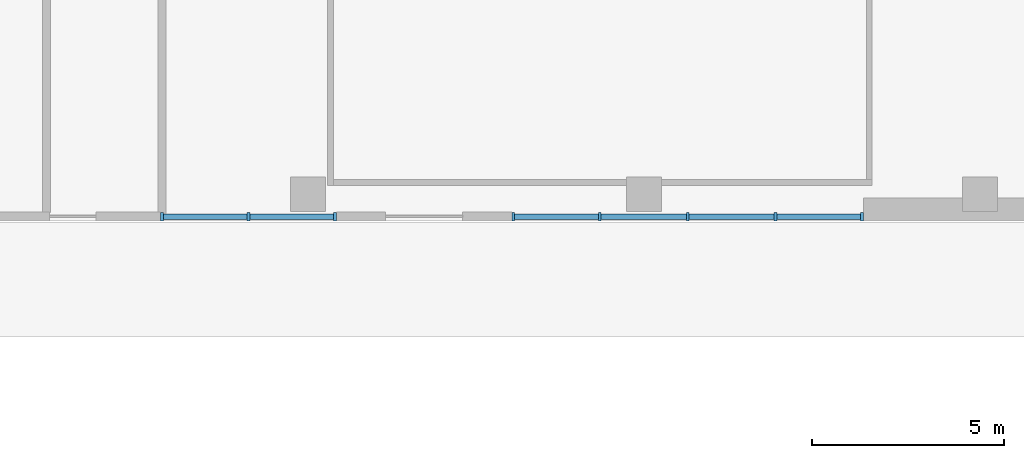
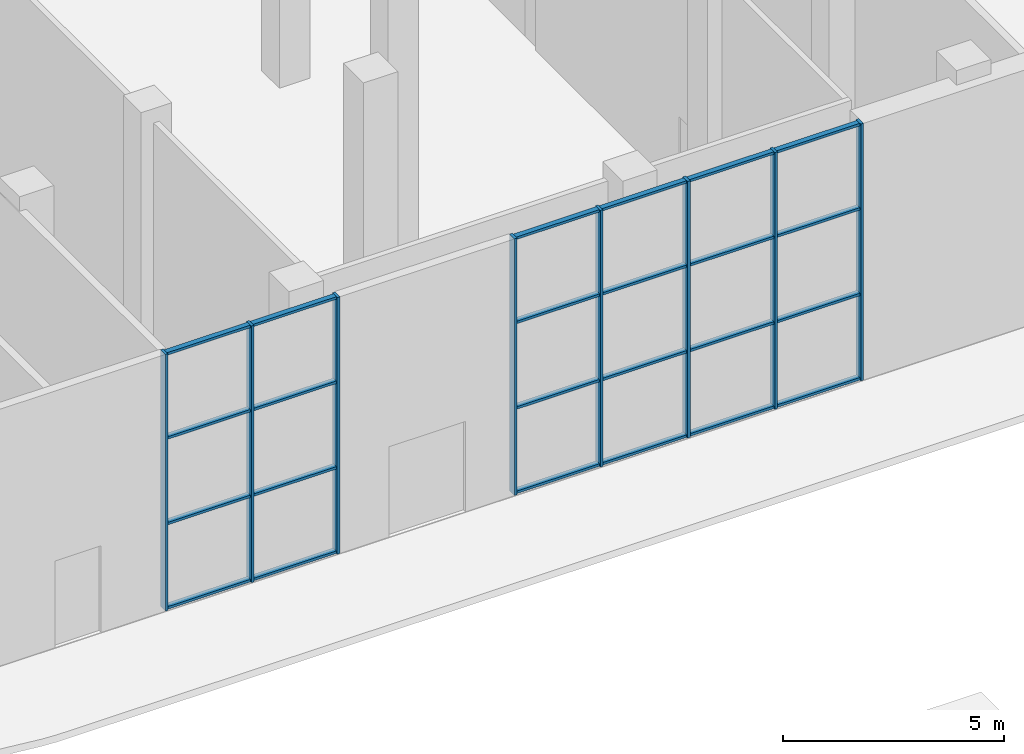
# One storey, part 5 of 30: 32 members, 2 elements without a shape of their own.
"""IFC4 building model written with IfcOpenShell, lengths in metres."""

from ifc_helpers import new_model, si_unit, direction, frame, origin, origin_2d, place, context, subcontext, project, spatial, rectangle, extrude, material, material_profile, profile_set, type_object, element, aggregate, save


model = new_model("IFC4")

# Units and contexts
model_context = context("Model", 3, precision=1e-05, world=origin(), true_north=direction((0.0, 1.0)))
body_context = subcontext(model_context, "Body", "Model", "MODEL_VIEW")
ifc_project = project(units=[si_unit("LENGTHUNIT", "METRE"), si_unit("AREAUNIT", "SQUARE_METRE"), si_unit("VOLUMEUNIT", "CUBIC_METRE"), si_unit("PLANEANGLEUNIT", "RADIAN"), si_unit("MASSUNIT", "GRAM", prefix="KILO")], contexts=[model_context])

# Site, building, storey
site_placement = place(None, origin())
site = spatial("IfcSite", under=ifc_project, at=site_placement, CompositionType="ELEMENT")
building_placement = place(site_placement, origin())
building = spatial("IfcBuilding", under=site, at=building_placement, Name="Skarvind Civic Tower", CompositionType="ELEMENT")
storey_placement = place(building_placement, origin())
storey = spatial("IfcBuildingStorey", under=building, at=storey_placement, Name="L00", CompositionType="ELEMENT", Elevation=0.0)

# Curtain wall, members
ifc_material_1 = material(Name="Aluminium alloy 6063 and laminated glass", Category="aluminium")
curtain_wall_type = type_object("IfcCurtainWallType", Name="CW6 COMPANION TOWER LOBBY GLAZING", PredefinedType="NOTDEFINED", material=ifc_material_1)
curtain_wall_1_placement = place(storey_placement, origin())
curtain_wall_1 = element("IfcCurtainWall", 1, at=curtain_wall_1_placement, inside=storey, type_object=curtain_wall_type, Name="COMPANION TOWER LOBBY GLAZING", PredefinedType="NOTDEFINED")
ifc_material_2 = material(Name="Aluminium alloy 6063", Category="aluminium")
ifc_material_profile_1 = material_profile(ifc_material_2, rectangle(XDim=0.219970703125, YDim=0.070068359375, at=origin_2d()), Name="AL 70x220")
ifc_profile_set_1 = profile_set([ifc_material_profile_1], Name="Aluminium alloy 6063")
member_type_1 = type_object("IfcMemberType", Name="CW6 MULLION 70x220", PredefinedType="MULLION", material=ifc_profile_set_1)
member_1_placement = place(storey_placement, frame((153.812744140625, 102.110107421875, 0.0), z_axis=(0.0, 0.0, 1.0), x_axis=(0.0, -1.0, 0.0)))
member_1 = element("IfcMember", 2, at=member_1_placement, type_object=member_type_1, Name="CW6 mullion 1", PredefinedType="MULLION", context=body_context, shape_type="SweptSolid", body=[
    extrude(rectangle(XDim=0.219970703125, YDim=0.070068359375, at=origin_2d()), origin(), (0.0, 0.0, 1.0), 7.10009765625),
])
member_2_placement = place(storey_placement, frame((151.565185546875, 102.110107421875, 0.0), z_axis=(0.0, 0.0, 1.0), x_axis=(0.0, -1.0, 0.0)))
member_2 = element("IfcMember", 3, at=member_2_placement, type_object=member_type_1, Name="CW6 mullion 2", PredefinedType="MULLION", context=body_context, shape_type="SweptSolid", body=[
    extrude(rectangle(XDim=0.219970703125, YDim=0.070068359375, at=origin_2d()), origin(), (0.0, 0.0, 1.0), 7.10009765625),
])
member_3_placement = place(storey_placement, frame((149.28271484375, 102.110107421875, 0.0), z_axis=(0.0, 0.0, 1.0), x_axis=(0.0, -1.0, 0.0)))
member_3 = element("IfcMember", 4, at=member_3_placement, type_object=member_type_1, Name="CW6 mullion 3", PredefinedType="MULLION", context=body_context, shape_type="SweptSolid", body=[
    extrude(rectangle(XDim=0.219970703125, YDim=0.070068359375, at=origin_2d()), origin(), (0.0, 0.0, 1.0), 7.10009765625),
])
member_4_placement = place(storey_placement, frame((147.0, 102.110107421875, 0.0), z_axis=(0.0, 0.0, 1.0), x_axis=(0.0, -1.0, 0.0)))
member_4 = element("IfcMember", 5, at=member_4_placement, type_object=member_type_1, Name="CW6 mullion 4", PredefinedType="MULLION", context=body_context, shape_type="SweptSolid", body=[
    extrude(rectangle(XDim=0.219970703125, YDim=0.070068359375, at=origin_2d()), origin(), (0.0, 0.0, 1.0), 7.10009765625),
])
member_5_placement = place(storey_placement, frame((144.75244140625, 102.110107421875, 0.0), z_axis=(0.0, 0.0, 1.0), x_axis=(0.0, -1.0, 0.0)))
member_5 = element("IfcMember", 6, at=member_5_placement, type_object=member_type_1, Name="CW6 mullion 5", PredefinedType="MULLION", context=body_context, shape_type="SweptSolid", body=[
    extrude(rectangle(XDim=0.219970703125, YDim=0.070068359375, at=origin_2d()), origin(), (0.0, 0.0, 1.0), 7.10009765625),
])

curtain_wall_2_placement = place(storey_placement, origin())
curtain_wall_2 = element("IfcCurtainWall", 7, at=curtain_wall_2_placement, inside=storey, type_object=curtain_wall_type, Name="COMPANION TOWER LOBBY GLAZING", PredefinedType="NOTDEFINED")
member_6_placement = place(storey_placement, frame((140.1171875, 102.110107421875, 0.0), z_axis=(0.0, 0.0, 1.0), x_axis=(0.0, -1.0, 0.0)))
member_6 = element("IfcMember", 8, at=member_6_placement, type_object=member_type_1, Name="CW6 mullion 1", PredefinedType="MULLION", context=body_context, shape_type="SweptSolid", body=[
    extrude(rectangle(XDim=0.219970703125, YDim=0.070068359375, at=origin_2d()), origin(), (0.0, 0.0, 1.0), 7.10009765625),
])
member_7_placement = place(storey_placement, frame((137.86962890625, 102.110107421875, 0.0), z_axis=(0.0, 0.0, 1.0), x_axis=(0.0, -1.0, 0.0)))
member_7 = element("IfcMember", 9, at=member_7_placement, type_object=member_type_1, Name="CW6 mullion 2", PredefinedType="MULLION", context=body_context, shape_type="SweptSolid", body=[
    extrude(rectangle(XDim=0.219970703125, YDim=0.070068359375, at=origin_2d()), origin(), (0.0, 0.0, 1.0), 7.10009765625),
])
member_8_placement = place(storey_placement, frame((135.6220703125, 102.110107421875, 0.0), z_axis=(0.0, 0.0, 1.0), x_axis=(0.0, -1.0, 0.0)))
member_8 = element("IfcMember", 10, at=member_8_placement, type_object=member_type_1, Name="CW6 mullion 3", PredefinedType="MULLION", context=body_context, shape_type="SweptSolid", body=[
    extrude(rectangle(XDim=0.219970703125, YDim=0.070068359375, at=origin_2d()), origin(), (0.0, 0.0, 1.0), 7.10009765625),
])

# Member
ifc_material_profile_2 = material_profile(ifc_material_2, rectangle(XDim=0.139892578125, YDim=0.070068359375, at=origin_2d()), Name="AL 70x140")
ifc_profile_set_2 = profile_set([ifc_material_profile_2], Name="Aluminium alloy 6063")
member_type_2 = type_object("IfcMemberType", Name="CW6 TRANSOM 70x140", PredefinedType="USERDEFINED", material=ifc_profile_set_2)
member_9_placement = place(storey_placement, frame((153.77783203125, 102.110107421875, 0.034912109375), z_axis=(-1.0, 0.0, 0.0), x_axis=(0.0, -1.0, 0.0)))
member_9 = element("IfcMember", 11, at=member_9_placement, type_object=member_type_2, Name="CW6 transom 1.1", ObjectType="TRANSOM", PredefinedType="USERDEFINED", context=body_context, shape_type="SweptSolid", body=[
    extrude(rectangle(XDim=0.139892578125, YDim=0.070068359375, at=origin_2d()), origin(), (0.0, 0.0, 1.0), 2.177734375),
])

member_10_placement = place(storey_placement, frame((153.77783203125, 102.110107421875, 2.36669921875), z_axis=(-1.0, 0.0, 0.0), x_axis=(0.0, -1.0, 0.0)))
member_10 = element("IfcMember", 12, at=member_10_placement, type_object=member_type_2, Name="CW6 transom 1.2", ObjectType="TRANSOM", PredefinedType="USERDEFINED", context=body_context, shape_type="SweptSolid", body=[
    extrude(rectangle(XDim=0.139892578125, YDim=0.070068359375, at=origin_2d()), origin(), (0.0, 0.0, 1.0), 2.177734375),
])

member_11_placement = place(storey_placement, frame((153.77783203125, 102.110107421875, 4.7333984375), z_axis=(-1.0, 0.0, 0.0), x_axis=(0.0, -1.0, 0.0)))
member_11 = element("IfcMember", 13, at=member_11_placement, type_object=member_type_2, Name="CW6 transom 1.3", ObjectType="TRANSOM", PredefinedType="USERDEFINED", context=body_context, shape_type="SweptSolid", body=[
    extrude(rectangle(XDim=0.139892578125, YDim=0.070068359375, at=origin_2d()), origin(), (0.0, 0.0, 1.0), 2.177734375),
])

member_12_placement = place(storey_placement, frame((153.77783203125, 102.110107421875, 7.06494140625), z_axis=(-1.0, 0.0, 0.0), x_axis=(0.0, -1.0, 0.0)))
member_12 = element("IfcMember", 14, at=member_12_placement, type_object=member_type_2, Name="CW6 transom 1.4", ObjectType="TRANSOM", PredefinedType="USERDEFINED", context=body_context, shape_type="SweptSolid", body=[
    extrude(rectangle(XDim=0.139892578125, YDim=0.070068359375, at=origin_2d()), origin(), (0.0, 0.0, 1.0), 2.177734375),
])

member_13_placement = place(storey_placement, frame((151.5302734375, 102.110107421875, 0.034912109375), z_axis=(-1.0, 0.0, 0.0), x_axis=(0.0, -1.0, 0.0)))
member_13 = element("IfcMember", 15, at=member_13_placement, type_object=member_type_2, Name="CW6 transom 2.1", ObjectType="TRANSOM", PredefinedType="USERDEFINED", context=body_context, shape_type="SweptSolid", body=[
    extrude(rectangle(XDim=0.139892578125, YDim=0.070068359375, at=origin_2d()), origin(), (0.0, 0.0, 1.0), 2.212646484375),
])

member_14_placement = place(storey_placement, frame((151.5302734375, 102.110107421875, 2.36669921875), z_axis=(-1.0, 0.0, 0.0), x_axis=(0.0, -1.0, 0.0)))
member_14 = element("IfcMember", 16, at=member_14_placement, type_object=member_type_2, Name="CW6 transom 2.2", ObjectType="TRANSOM", PredefinedType="USERDEFINED", context=body_context, shape_type="SweptSolid", body=[
    extrude(rectangle(XDim=0.139892578125, YDim=0.070068359375, at=origin_2d()), origin(), (0.0, 0.0, 1.0), 2.212646484375),
])

member_15_placement = place(storey_placement, frame((151.5302734375, 102.110107421875, 4.7333984375), z_axis=(-1.0, 0.0, 0.0), x_axis=(0.0, -1.0, 0.0)))
member_15 = element("IfcMember", 17, at=member_15_placement, type_object=member_type_2, Name="CW6 transom 2.3", ObjectType="TRANSOM", PredefinedType="USERDEFINED", context=body_context, shape_type="SweptSolid", body=[
    extrude(rectangle(XDim=0.139892578125, YDim=0.070068359375, at=origin_2d()), origin(), (0.0, 0.0, 1.0), 2.212646484375),
])

member_16_placement = place(storey_placement, frame((151.5302734375, 102.110107421875, 7.06494140625), z_axis=(-1.0, 0.0, 0.0), x_axis=(0.0, -1.0, 0.0)))
member_16 = element("IfcMember", 18, at=member_16_placement, type_object=member_type_2, Name="CW6 transom 2.4", ObjectType="TRANSOM", PredefinedType="USERDEFINED", context=body_context, shape_type="SweptSolid", body=[
    extrude(rectangle(XDim=0.139892578125, YDim=0.070068359375, at=origin_2d()), origin(), (0.0, 0.0, 1.0), 2.212646484375),
])

member_17_placement = place(storey_placement, frame((149.24755859375, 102.110107421875, 0.034912109375), z_axis=(-1.0, 0.0, 0.0), x_axis=(0.0, -1.0, 0.0)))
member_17 = element("IfcMember", 19, at=member_17_placement, type_object=member_type_2, Name="CW6 transom 3.1", ObjectType="TRANSOM", PredefinedType="USERDEFINED", context=body_context, shape_type="SweptSolid", body=[
    extrude(rectangle(XDim=0.139892578125, YDim=0.070068359375, at=origin_2d()), origin(), (0.0, 0.0, 1.0), 2.212646484375),
])

member_18_placement = place(storey_placement, frame((149.24755859375, 102.110107421875, 2.36669921875), z_axis=(-1.0, 0.0, 0.0), x_axis=(0.0, -1.0, 0.0)))
member_18 = element("IfcMember", 20, at=member_18_placement, type_object=member_type_2, Name="CW6 transom 3.2", ObjectType="TRANSOM", PredefinedType="USERDEFINED", context=body_context, shape_type="SweptSolid", body=[
    extrude(rectangle(XDim=0.139892578125, YDim=0.070068359375, at=origin_2d()), origin(), (0.0, 0.0, 1.0), 2.212646484375),
])

member_19_placement = place(storey_placement, frame((149.24755859375, 102.110107421875, 4.7333984375), z_axis=(-1.0, 0.0, 0.0), x_axis=(0.0, -1.0, 0.0)))
member_19 = element("IfcMember", 21, at=member_19_placement, type_object=member_type_2, Name="CW6 transom 3.3", ObjectType="TRANSOM", PredefinedType="USERDEFINED", context=body_context, shape_type="SweptSolid", body=[
    extrude(rectangle(XDim=0.139892578125, YDim=0.070068359375, at=origin_2d()), origin(), (0.0, 0.0, 1.0), 2.212646484375),
])

member_20_placement = place(storey_placement, frame((149.24755859375, 102.110107421875, 7.06494140625), z_axis=(-1.0, 0.0, 0.0), x_axis=(0.0, -1.0, 0.0)))
member_20 = element("IfcMember", 22, at=member_20_placement, type_object=member_type_2, Name="CW6 transom 3.4", ObjectType="TRANSOM", PredefinedType="USERDEFINED", context=body_context, shape_type="SweptSolid", body=[
    extrude(rectangle(XDim=0.139892578125, YDim=0.070068359375, at=origin_2d()), origin(), (0.0, 0.0, 1.0), 2.212646484375),
])

member_21_placement = place(storey_placement, frame((146.965087890625, 102.110107421875, 0.034912109375), z_axis=(-1.0, 0.0, 0.0), x_axis=(0.0, -1.0, 0.0)))
member_21 = element("IfcMember", 23, at=member_21_placement, type_object=member_type_2, Name="CW6 transom 4.1", ObjectType="TRANSOM", PredefinedType="USERDEFINED", context=body_context, shape_type="SweptSolid", body=[
    extrude(rectangle(XDim=0.139892578125, YDim=0.070068359375, at=origin_2d()), origin(), (0.0, 0.0, 1.0), 2.177734375),
])

member_22_placement = place(storey_placement, frame((146.965087890625, 102.110107421875, 2.36669921875), z_axis=(-1.0, 0.0, 0.0), x_axis=(0.0, -1.0, 0.0)))
member_22 = element("IfcMember", 24, at=member_22_placement, type_object=member_type_2, Name="CW6 transom 4.2", ObjectType="TRANSOM", PredefinedType="USERDEFINED", context=body_context, shape_type="SweptSolid", body=[
    extrude(rectangle(XDim=0.139892578125, YDim=0.070068359375, at=origin_2d()), origin(), (0.0, 0.0, 1.0), 2.177734375),
])

member_23_placement = place(storey_placement, frame((146.965087890625, 102.110107421875, 4.7333984375), z_axis=(-1.0, 0.0, 0.0), x_axis=(0.0, -1.0, 0.0)))
member_23 = element("IfcMember", 25, at=member_23_placement, type_object=member_type_2, Name="CW6 transom 4.3", ObjectType="TRANSOM", PredefinedType="USERDEFINED", context=body_context, shape_type="SweptSolid", body=[
    extrude(rectangle(XDim=0.139892578125, YDim=0.070068359375, at=origin_2d()), origin(), (0.0, 0.0, 1.0), 2.177734375),
])

member_24_placement = place(storey_placement, frame((146.965087890625, 102.110107421875, 7.06494140625), z_axis=(-1.0, 0.0, 0.0), x_axis=(0.0, -1.0, 0.0)))
member_24 = element("IfcMember", 26, at=member_24_placement, type_object=member_type_2, Name="CW6 transom 4.4", ObjectType="TRANSOM", PredefinedType="USERDEFINED", context=body_context, shape_type="SweptSolid", body=[
    extrude(rectangle(XDim=0.139892578125, YDim=0.070068359375, at=origin_2d()), origin(), (0.0, 0.0, 1.0), 2.177734375),
])

aggregate(curtain_wall_1, [member_1, member_2, member_3, member_4, member_5, member_9, member_10, member_11, member_12, member_13, member_14, member_15, member_16, member_17, member_18, member_19, member_20, member_21, member_22, member_23, member_24])

member_25_placement = place(storey_placement, frame((140.082275390625, 102.110107421875, 0.034912109375), z_axis=(-1.0, 0.0, 0.0), x_axis=(0.0, -1.0, 0.0)))
member_25 = element("IfcMember", 27, at=member_25_placement, type_object=member_type_2, Name="CW6 transom 1.1", ObjectType="TRANSOM", PredefinedType="USERDEFINED", context=body_context, shape_type="SweptSolid", body=[
    extrude(rectangle(XDim=0.139892578125, YDim=0.070068359375, at=origin_2d()), origin(), (0.0, 0.0, 1.0), 2.177734375),
])

member_26_placement = place(storey_placement, frame((140.082275390625, 102.110107421875, 2.36669921875), z_axis=(-1.0, 0.0, 0.0), x_axis=(0.0, -1.0, 0.0)))
member_26 = element("IfcMember", 28, at=member_26_placement, type_object=member_type_2, Name="CW6 transom 1.2", ObjectType="TRANSOM", PredefinedType="USERDEFINED", context=body_context, shape_type="SweptSolid", body=[
    extrude(rectangle(XDim=0.139892578125, YDim=0.070068359375, at=origin_2d()), origin(), (0.0, 0.0, 1.0), 2.177734375),
])

member_27_placement = place(storey_placement, frame((140.082275390625, 102.110107421875, 4.7333984375), z_axis=(-1.0, 0.0, 0.0), x_axis=(0.0, -1.0, 0.0)))
member_27 = element("IfcMember", 29, at=member_27_placement, type_object=member_type_2, Name="CW6 transom 1.3", ObjectType="TRANSOM", PredefinedType="USERDEFINED", context=body_context, shape_type="SweptSolid", body=[
    extrude(rectangle(XDim=0.139892578125, YDim=0.070068359375, at=origin_2d()), origin(), (0.0, 0.0, 1.0), 2.177734375),
])

member_28_placement = place(storey_placement, frame((140.082275390625, 102.110107421875, 7.06494140625), z_axis=(-1.0, 0.0, 0.0), x_axis=(0.0, -1.0, 0.0)))
member_28 = element("IfcMember", 30, at=member_28_placement, type_object=member_type_2, Name="CW6 transom 1.4", ObjectType="TRANSOM", PredefinedType="USERDEFINED", context=body_context, shape_type="SweptSolid", body=[
    extrude(rectangle(XDim=0.139892578125, YDim=0.070068359375, at=origin_2d()), origin(), (0.0, 0.0, 1.0), 2.177734375),
])

member_29_placement = place(storey_placement, frame((137.834716796875, 102.110107421875, 0.034912109375), z_axis=(-1.0, 0.0, 0.0), x_axis=(0.0, -1.0, 0.0)))
member_29 = element("IfcMember", 31, at=member_29_placement, type_object=member_type_2, Name="CW6 transom 2.1", ObjectType="TRANSOM", PredefinedType="USERDEFINED", context=body_context, shape_type="SweptSolid", body=[
    extrude(rectangle(XDim=0.139892578125, YDim=0.070068359375, at=origin_2d()), origin(), (0.0, 0.0, 1.0), 2.177734375),
])

member_30_placement = place(storey_placement, frame((137.834716796875, 102.110107421875, 2.36669921875), z_axis=(-1.0, 0.0, 0.0), x_axis=(0.0, -1.0, 0.0)))
member_30 = element("IfcMember", 32, at=member_30_placement, type_object=member_type_2, Name="CW6 transom 2.2", ObjectType="TRANSOM", PredefinedType="USERDEFINED", context=body_context, shape_type="SweptSolid", body=[
    extrude(rectangle(XDim=0.139892578125, YDim=0.070068359375, at=origin_2d()), origin(), (0.0, 0.0, 1.0), 2.177734375),
])

member_31_placement = place(storey_placement, frame((137.834716796875, 102.110107421875, 4.7333984375), z_axis=(-1.0, 0.0, 0.0), x_axis=(0.0, -1.0, 0.0)))
member_31 = element("IfcMember", 33, at=member_31_placement, type_object=member_type_2, Name="CW6 transom 2.3", ObjectType="TRANSOM", PredefinedType="USERDEFINED", context=body_context, shape_type="SweptSolid", body=[
    extrude(rectangle(XDim=0.139892578125, YDim=0.070068359375, at=origin_2d()), origin(), (0.0, 0.0, 1.0), 2.177734375),
])

member_32_placement = place(storey_placement, frame((137.834716796875, 102.110107421875, 7.06494140625), z_axis=(-1.0, 0.0, 0.0), x_axis=(0.0, -1.0, 0.0)))
member_32 = element("IfcMember", 34, at=member_32_placement, type_object=member_type_2, Name="CW6 transom 2.4", ObjectType="TRANSOM", PredefinedType="USERDEFINED", context=body_context, shape_type="SweptSolid", body=[
    extrude(rectangle(XDim=0.139892578125, YDim=0.070068359375, at=origin_2d()), origin(), (0.0, 0.0, 1.0), 2.177734375),
])

aggregate(curtain_wall_2, [member_6, member_7, member_8, member_25, member_26, member_27, member_28, member_29, member_30, member_31, member_32])

save(model, "model.ifc")
